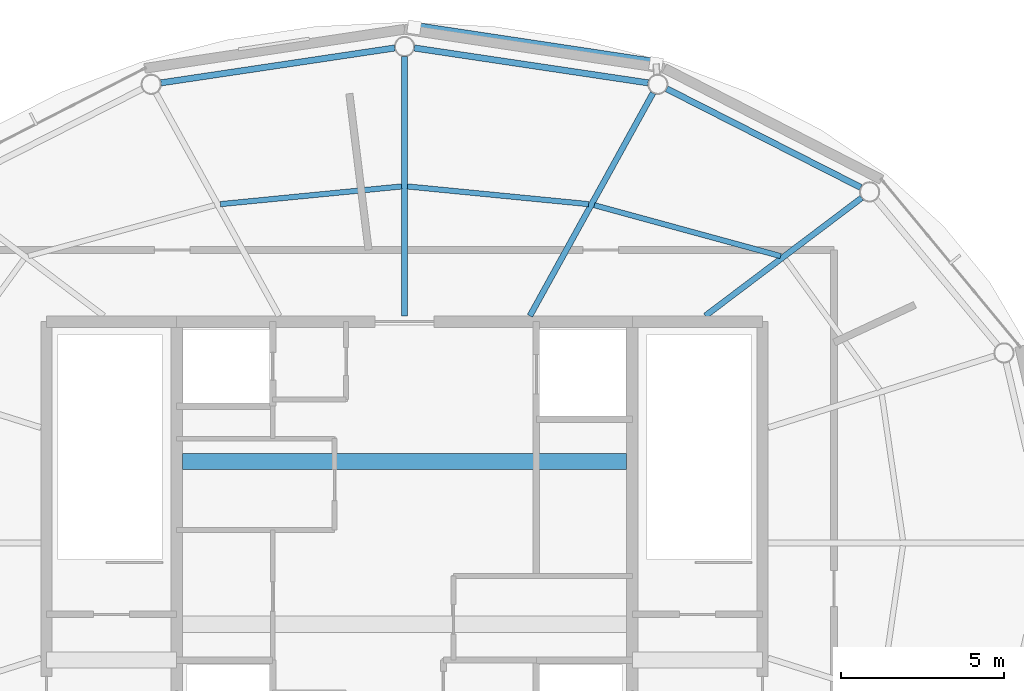
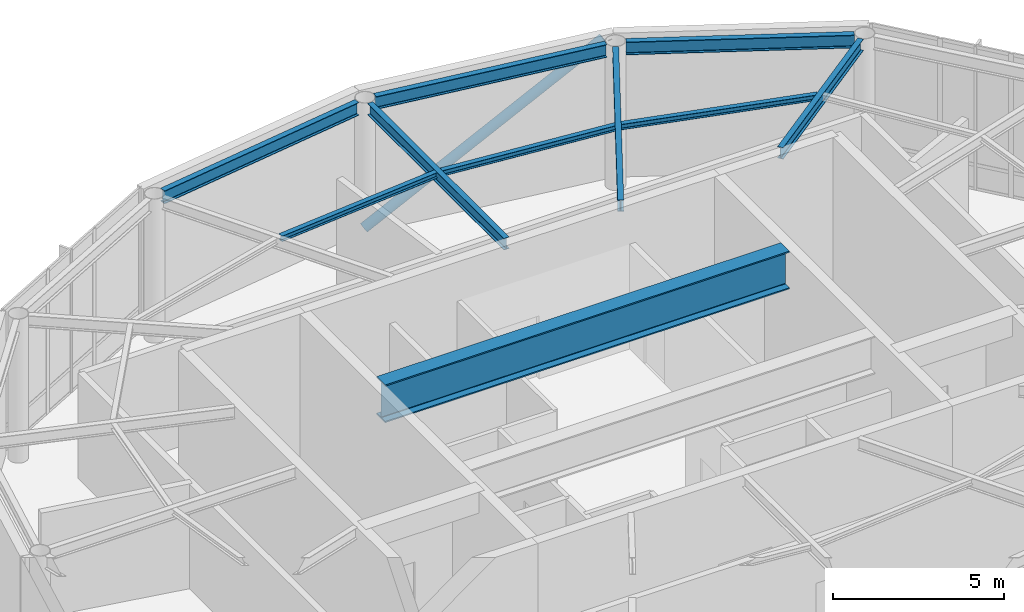
# One storey, part 8 of 14: 10 beams, 1 member.
"""IFC4 building model written with IfcOpenShell, lengths in metres."""

import ifcopenshell
import ifcopenshell.guid

model = None  # the IFC model being written
_history = None  # IfcOwnerHistory: only IFC2X3 demands one
_inside = {}  # id of a spatial element -> (the spatial element, [elements in it])
_under = {}  # id of a project, library or spatial element -> (it, [spatial elements below it])
_declared = {}  # id of a project -> (the project, [libraries it declares])
_typed = {}  # id of a type object -> (the type object, [elements of that type])
_made_of = {}  # id of a material, layer set ... -> (it, [elements and type objects made of it])


def new_model(schema):
    """Start an empty IFC model of exactly this schema.

    Asked for "IFC4X3", IfcOpenShell would pick the latest addendum, in which some entities
    have other attributes; the version numbers below select the first issue.
    IFC2X3 requires an IfcOwnerHistory on every rooted entity: one is made here for all.
    """
    global model, _history
    if schema == "IFC4X3":
        model = ifcopenshell.file(schema_version=(4, 3, 0, 0))
    else:
        model = ifcopenshell.file(schema=schema)
    _inside.clear()
    _under.clear()
    _declared.clear()
    _typed.clear()
    _made_of.clear()
    _history = None
    if model.schema == "IFC2X3":
        org = make("IfcOrganization", Name="unknown")
        user = make(
            "IfcPersonAndOrganization",
            ThePerson=make("IfcPerson", FamilyName="unknown"),
            TheOrganization=org,
        )
        app = make(
            "IfcApplication",
            ApplicationDeveloper=org,
            Version="unknown",
            ApplicationFullName="unknown",
            ApplicationIdentifier="unknown",
        )
        _history = make(
            "IfcOwnerHistory",
            OwningUser=user,
            OwningApplication=app,
            ChangeAction="ADDED",
            CreationDate=0,
        )
    return model


def make(cls, **values):
    """One entity of the class cls with the attributes given. An attribute that is None is left unset."""
    return model.create_entity(
        cls, **{name: value for name, value in values.items() if value is not None}
    )


def rooted(cls, **values):
    """An entity with a GlobalId (a new one), such as an element, a storey or a relation."""
    return make(cls, GlobalId=ifcopenshell.guid.new(), OwnerHistory=_history, **values)


def si_unit(unit_type, name, prefix=None):
    """IfcSIUnit, for example si_unit("LENGTHUNIT", "METRE", prefix="MILLI")."""
    return make("IfcSIUnit", UnitType=unit_type, Prefix=prefix, Name=name)


def assignment(units):
    """IfcUnitAssignment: the units of a project."""
    return None if units is None else make("IfcUnitAssignment", Units=units)


def point(xyz):
    """IfcCartesianPoint."""
    return None if xyz is None else make("IfcCartesianPoint", Coordinates=xyz)


def direction(xyz):
    """IfcDirection."""
    return None if xyz is None else make("IfcDirection", DirectionRatios=xyz)


def frame(location, z_axis=None, x_axis=None):
    """IfcAxis2Placement3D, a coordinate frame: its origin and axes. An axis left out is left unset."""
    return make(
        "IfcAxis2Placement3D",
        Location=point(location),
        Axis=direction(z_axis),
        RefDirection=direction(x_axis),
    )


def frame_2d(location, x_axis=None):
    """IfcAxis2Placement2D, a coordinate frame in the plane: its origin and x axis."""
    return make(
        "IfcAxis2Placement2D", Location=point(location), RefDirection=direction(x_axis)
    )


def origin():
    """The frame at (0, 0, 0) with its axes left unset."""
    return frame((0.0, 0.0, 0.0))


def origin_2d():
    """The frame at (0, 0) in the plane with its x axis left unset."""
    return frame_2d((0.0, 0.0))


def place(relative_to, where):
    """IfcLocalPlacement: puts the frame where relative to a parent placement (None: the world)."""
    return make(
        "IfcLocalPlacement", PlacementRelTo=relative_to, RelativePlacement=where
    )


def context(
    kind, dimensions, precision=None, world=None, true_north=None, identifier=None
):
    """IfcGeometricRepresentationContext, for example the 3D "Model" context."""
    return make(
        "IfcGeometricRepresentationContext",
        ContextIdentifier=identifier,
        ContextType=kind,
        CoordinateSpaceDimension=dimensions,
        Precision=precision,
        WorldCoordinateSystem=world,
        TrueNorth=true_north,
    )


def subcontext(parent, identifier, kind, view, scale=None):
    """IfcGeometricRepresentationSubContext, for example "Body" below "Model"."""
    return make(
        "IfcGeometricRepresentationSubContext",
        ContextIdentifier=identifier,
        ContextType=kind,
        ParentContext=parent,
        TargetScale=scale,
        TargetView=view,
    )


def project(units=None, contexts=None):
    """IfcProject with its units and contexts."""
    return rooted(
        "IfcProject",
        Name="project",
        RepresentationContexts=contexts,
        UnitsInContext=assignment(units),
    )


def spatial(cls, under=None, at=None, **own):
    """A site, building, storey or space (cls), placed at a placement, below another one or the project."""
    s = rooted(cls, ObjectPlacement=at, **own)
    if under is not None:
        _under.setdefault(under.id(), (under, []))[1].append(s)
    return s


def profile(cls, at=None, kind="AREA", **sizes):
    """A parametric profile (cls). Its sizes go by their IFC names, for example OverallWidth=200.0."""
    return make(cls, ProfileType=kind, Position=at, **sizes)


def hollow_circle(**sizes):
    """IfcCircleHollowProfileDef."""
    return profile("IfcCircleHollowProfileDef", **sizes)


def i_section(**sizes):
    """IfcIShapeProfileDef."""
    return profile("IfcIShapeProfileDef", **sizes)


def extrude(swept, where, along, depth):
    """IfcExtrudedAreaSolid: the profile swept, set in the frame where, extruded along a direction by depth."""
    return make(
        "IfcExtrudedAreaSolid",
        SweptArea=swept,
        Position=where,
        ExtrudedDirection=direction(along),
        Depth=depth,
    )


def shape(context_of_items, identifier, shape_type, items):
    """IfcShapeRepresentation: the items that make up one representation, for example the "Body"."""
    return make(
        "IfcShapeRepresentation",
        ContextOfItems=context_of_items,
        RepresentationIdentifier=identifier,
        RepresentationType=shape_type,
        Items=items,
    )


def material(Name=None, Category=None):
    """IfcMaterial."""
    return make("IfcMaterial", Name=Name, Category=Category)


def material_profile(
    of_material, cross_section, Name=None, Category=None, Priority=None
):
    """IfcMaterialProfile: a cross section and its material."""
    return make(
        "IfcMaterialProfile",
        Name=Name,
        Material=of_material,
        Profile=cross_section,
        Priority=Priority,
        Category=Category,
    )


def profile_set(profiles, Name=None, composite=None):
    """IfcMaterialProfileSet."""
    return make(
        "IfcMaterialProfileSet",
        Name=Name,
        MaterialProfiles=profiles,
        CompositeProfile=composite,
    )


def made_of(thing, what):
    """Note that an element or type object is made of a material, layer set ...; save() writes the relation."""
    if what is not None:
        _made_of.setdefault(what.id(), (what, []))[1].append(thing)
    return thing


def type_object(cls, material=None, **own):
    """A type object (cls), such as IfcWallType, which elements share."""
    return made_of(rooted(cls, **own), material)


def element(
    cls,
    number,
    at=None,
    inside=None,
    cuts=None,
    type_object=None,
    material=None,
    context=None,
    identifier="Body",
    shape_type=None,
    held_by="IfcProductDefinitionShape",
    body=None,
    shapes=None,
    **own,
):
    """One element of the class cls, such as IfcWall. Its Tag is "e" and its number.

    at: its placement. inside: the storey or other place that contains it. cuts: it is an
    opening in that element (IfcRelVoidsElement). A single representation is given by context,
    identifier, shape_type and body (its items); several are given by shapes. held_by: the class
    of the entity that holds the representations. save() writes the other relations.
    """
    e = rooted(cls, Tag="e%d" % number, ObjectPlacement=at, **own)
    if body is not None:
        shapes = [shape(context, identifier, shape_type, body)]
    if shapes is not None:
        e.Representation = make(held_by, Representations=shapes)
    if inside is not None:
        _inside.setdefault(inside.id(), (inside, []))[1].append(e)
    if cuts is not None:
        rooted(
            "IfcRelVoidsElement", RelatingBuildingElement=cuts, RelatedOpeningElement=e
        )
    if type_object is not None:
        _typed.setdefault(type_object.id(), (type_object, []))[1].append(e)
    return made_of(e, material)


def aggregate(whole, parts):
    """IfcRelAggregates: a whole, such as a stair, and the parts it consists of."""
    return rooted("IfcRelAggregates", RelatingObject=whole, RelatedObjects=parts)


def save(model, path):
    """Write the relations noted so far, then the file.

    IfcRelAggregates (storeys below a building ...), IfcRelContainedInSpatialStructure (elements
    in a storey), IfcRelDefinesByType, IfcRelAssociatesMaterial and IfcRelDeclares: one each for
    every whole, place, type object, material and project.
    """
    for whole, parts in _under.values():
        aggregate(whole, parts)
    for where, things in _inside.values():
        rooted(
            "IfcRelContainedInSpatialStructure",
            RelatedElements=things,
            RelatingStructure=where,
        )
    for kind, things in _typed.values():
        rooted("IfcRelDefinesByType", RelatedObjects=things, RelatingType=kind)
    for what, things in _made_of.values():
        rooted("IfcRelAssociatesMaterial", RelatedObjects=things, RelatingMaterial=what)
    for by, libraries in _declared.values():
        rooted("IfcRelDeclares", RelatingContext=by, RelatedDefinitions=libraries)
    model.write(path)


model = new_model("IFC4")

# Units and contexts
model_context = context("Model", 3, precision=1e-05, world=origin(), true_north=direction((0.0, 1.0)))
body_context = subcontext(model_context, "Body", "Model", "MODEL_VIEW")
ifc_project = project(units=[si_unit("LENGTHUNIT", "METRE"), si_unit("AREAUNIT", "SQUARE_METRE"), si_unit("VOLUMEUNIT", "CUBIC_METRE"), si_unit("PLANEANGLEUNIT", "RADIAN"), si_unit("MASSUNIT", "GRAM", prefix="KILO")], contexts=[model_context])

# Site, building, storey
site_placement = place(None, origin())
site = spatial("IfcSite", under=ifc_project, at=site_placement, CompositionType="ELEMENT")
building_placement = place(site_placement, origin())
building = spatial("IfcBuilding", under=site, at=building_placement, Name="Sarneth Arch Tower", CompositionType="ELEMENT")
storey_placement = place(building_placement, frame((0.0, 0.0, 321.60009765625)))
storey = spatial("IfcBuildingStorey", under=building, at=storey_placement, Name="L83", CompositionType="ELEMENT", Elevation=321.60009765625)

# Beams
ifc_material_1 = material(Name="Steel S355", Category="steel")
ifc_material_profile_1 = material_profile(ifc_material_1, i_section(OverallWidth=0.1650390625, OverallDepth=0.200927734375, WebThickness=0.006103515625, FlangeThickness=0.01025390625, FilletRadius=0.010009765625, at=origin_2d()), Name="W200x35.9")
ifc_profile_set_1 = profile_set([ifc_material_profile_1], Name="Steel S355")
beam_type_1 = type_object("IfcBeamType", Name="BM-JOIST-200", PredefinedType="JOIST", material=ifc_profile_set_1)
beam_1_placement = place(storey_placement, frame((59.55712890625, 50.81103515625, 5.039306640625), z_axis=(-0.964665041137, 0.263479332034, 0.0), x_axis=(-0.263479332034, -0.964665041137, 0.0)))
element("IfcBeam", 1, at=beam_1_placement, inside=storey, type_object=beam_type_1, Name="L83 Secondary floor joist 03", PredefinedType="JOIST", context=body_context, shape_type="SweptSolid", body=[
    extrude(i_section(OverallWidth=0.1650390625, OverallDepth=0.200927734375, WebThickness=0.006103515625, FlangeThickness=0.01025390625, FilletRadius=0.010009765625, at=origin_2d()), origin(), (0.0, 0.0, 1.0), 5.935791015625),
])
for number, where, z_axis, x_axis, name in (
    (2, (53.65478515625, 52.407470703125, 5.039306640625), (-0.995261554791, 0.097233932113, 0.0), (-0.097233932113, -0.995261554791, 0.0), "L83 Secondary floor joist 04"),
    (3, (47.910400390625, 52.951171875, 5.039306640625), (-0.995261554791, -0.097233932113, 0.0), (0.097233932113, -0.995261554791, 0.0), "L83 Secondary floor joist 05"),
):
    element("IfcBeam", number, at=place(storey_placement, frame(where, z_axis=z_axis, x_axis=x_axis)), inside=storey, type_object=beam_type_1, Name=name, PredefinedType="JOIST", context=body_context, shape_type="SweptSolid", body=[
        extrude(i_section(OverallWidth=0.1650390625, OverallDepth=0.200927734375, WebThickness=0.006103515625, FlangeThickness=0.01025390625, FilletRadius=0.010009765625, at=origin_2d()), origin(), (0.0, 0.0, 1.0), 5.591796875),
    ])
ifc_material_2 = material(Name="Steel S355", Category="steel")
ifc_material_profile_2 = material_profile(ifc_material_2, i_section(OverallWidth=0.179931640625, OverallDepth=0.4130859375, WebThickness=0.009765625, FlangeThickness=0.01611328125, FilletRadius=0.01611328125, at=origin_2d()), Name="W410x75")
ifc_profile_set_2 = profile_set([ifc_material_profile_2], Name="Steel S355")
beam_type_2 = type_object("IfcBeamType", Name="BM-RAD-410B", PredefinedType="BEAM", material=ifc_profile_set_2)
beam_2_placement = place(storey_placement, frame((57.242431640625, 48.97509765625, 4.933349609375), z_axis=(0.798219333929, 0.602366910563, 0.0), x_axis=(-0.602366910563, 0.798219333929, 0.0)))
element("IfcBeam", 4, at=beam_2_placement, inside=storey, type_object=beam_type_2, Name="L83 Radial floor girder 03", PredefinedType="BEAM", context=body_context, shape_type="SweptSolid", body=[
    extrude(i_section(OverallWidth=0.179931640625, OverallDepth=0.4130859375, WebThickness=0.009765625, FlangeThickness=0.01611328125, FilletRadius=0.01611328125, at=origin_2d()), origin(), (0.0, 0.0, 1.0), 6.01708984375),
])
beam_3_placement = place(storey_placement, frame((51.85302734375, 48.97509765625, 4.933349609375), z_axis=(0.483540137105, 0.875322189715, 0.0), x_axis=(-0.875322189715, 0.483540137105, 0.0)))
element("IfcBeam", 5, at=beam_3_placement, inside=storey, type_object=beam_type_2, Name="L83 Radial floor girder 04", PredefinedType="BEAM", context=body_context, shape_type="SweptSolid", body=[
    extrude(i_section(OverallWidth=0.179931640625, OverallDepth=0.4130859375, WebThickness=0.009765625, FlangeThickness=0.01611328125, FilletRadius=0.01611328125, at=origin_2d()), origin(), (0.0, 0.0, 1.0), 7.822509765625),
])
beam_4_placement = place(storey_placement, frame((48.0, 48.97509765625, 4.933349609375), z_axis=(0.0, 1.0, 0.0), x_axis=(-1.0, 0.0, 0.0)))
element("IfcBeam", 6, at=beam_4_placement, inside=storey, type_object=beam_type_2, Name="L83 Radial floor girder 05", PredefinedType="BEAM", context=body_context, shape_type="SweptSolid", body=[
    extrude(i_section(OverallWidth=0.179931640625, OverallDepth=0.4130859375, WebThickness=0.009765625, FlangeThickness=0.01611328125, FilletRadius=0.01611328125, at=origin_2d()), origin(), (0.0, 0.0, 1.0), 7.969970703125),
])
ifc_material_3 = material(Name="Steel S355", Category="steel")
ifc_material_profile_3 = material_profile(ifc_material_3, i_section(OverallWidth=0.19189453125, OverallDepth=0.462890625, WebThickness=0.010498046875, FlangeThickness=0.017578125, FilletRadius=0.01806640625, at=origin_2d()), Name="W460x89")
ifc_profile_set_3 = profile_set([ifc_material_profile_3], Name="Steel S355")
beam_type_3 = type_object("IfcBeamType", Name="BM-RAD-460B", PredefinedType="BEAM", material=ifc_profile_set_3)
beam_5_placement = place(storey_placement, frame((62.01708984375, 52.921630859375, 4.908447265625), z_axis=(-0.891524580884, 0.45297231889, 0.0), x_axis=(-0.45297231889, -0.891524580884, 0.0)))
element("IfcBeam", 7, at=beam_5_placement, inside=storey, type_object=beam_type_3, Name="L83 Perimeter spandrel beam 03", PredefinedType="BEAM", context=body_context, shape_type="SweptSolid", body=[
    extrude(i_section(OverallWidth=0.19189453125, OverallDepth=0.462890625, WebThickness=0.010498046875, FlangeThickness=0.017578125, FilletRadius=0.01806640625, at=origin_2d()), origin(), (0.0, 0.0, 1.0), 6.6875),
])
for number, where, z_axis, x_axis, name in (
    (8, (55.481201171875, 56.134033203125, 4.908447265625), (-0.989054698722, 0.147549323742, 0.0), (-0.147549323742, -0.989054698722, 0.0), "L83 Perimeter spandrel beam 04"),
    (9, (47.6982421875, 57.205078125, 4.908447265625), (-0.989054698722, -0.147549323742, 0.0), (0.147549323742, -0.989054698722, 0.0), "L83 Perimeter spandrel beam 05"),
):
    element("IfcBeam", number, at=place(storey_placement, frame(where, z_axis=z_axis, x_axis=x_axis)), inside=storey, type_object=beam_type_3, Name=name, PredefinedType="BEAM", context=body_context, shape_type="SweptSolid", body=[
        extrude(i_section(OverallWidth=0.19189453125, OverallDepth=0.462890625, WebThickness=0.010498046875, FlangeThickness=0.017578125, FilletRadius=0.01806640625, at=origin_2d()), origin(), (0.0, 0.0, 1.0), 7.2587890625),
    ])
ifc_material_4 = material(Name="Steel S355", Category="steel")
ifc_material_profile_4 = material_profile(ifc_material_4, i_section(OverallWidth=0.5, OverallDepth=1.35009765625, WebThickness=0.02197265625, FlangeThickness=0.044921875, FilletRadius=0.02392578125, at=origin_2d()), Name="CVS1350x595")
ifc_profile_set_4 = profile_set([ifc_material_profile_4], Name="Steel S355")
beam_type_4 = type_object("IfcBeamType", Name="BM-XFER-1350", PredefinedType="BEAM", material=ifc_profile_set_4)
beam_6_placement = place(storey_placement, frame((41.175048828125, 44.5, 4.46484375), z_axis=(1.0, 0.0, 0.0), x_axis=(0.0, 1.0, 0.0)))
element("IfcBeam", 10, at=beam_6_placement, inside=storey, type_object=beam_type_4, Name="L83 Broadcast mast transfer girder N", PredefinedType="BEAM", context=body_context, shape_type="SweptSolid", body=[
    extrude(i_section(OverallWidth=0.5, OverallDepth=1.35009765625, WebThickness=0.02197265625, FlangeThickness=0.044921875, FilletRadius=0.02392578125, at=origin_2d()), origin(), (0.0, 0.0, 1.0), 13.64990234375),
])

# Member
ifc_material_5 = material(Name="Steel S355", Category="steel")
ifc_material_profile_5 = material_profile(ifc_material_5, hollow_circle(Radius=0.162109375, WallThickness=0.012451171875, at=origin_2d()), Name="CHS324x12.5")
ifc_profile_set_5 = profile_set([ifc_material_profile_5], Name="Steel S355")
member_type = type_object("IfcMemberType", Name="MEM-DIAG-BR3", PredefinedType="BRACE", material=ifc_profile_set_5)
member_placement = place(storey_placement, frame((48.296630859375, 57.835205078125, 0.02001953125), z_axis=(0.831224810158, -0.12521900889, 0.541650731366), x_axis=(0.148963200292, 0.988842740257, 0.0)))
element("IfcMember", 11, at=member_placement, inside=storey, type_object=member_type, Name="L83 Perimeter frame diagonal 04", PredefinedType="BRACE", context=body_context, shape_type="SweptSolid", body=[
    extrude(hollow_circle(Radius=0.162109375, WallThickness=0.012451171875, at=origin_2d()), origin(), (0.0, 0.0, 1.0), 8.939453125),
])

save(model, "model.ifc")
